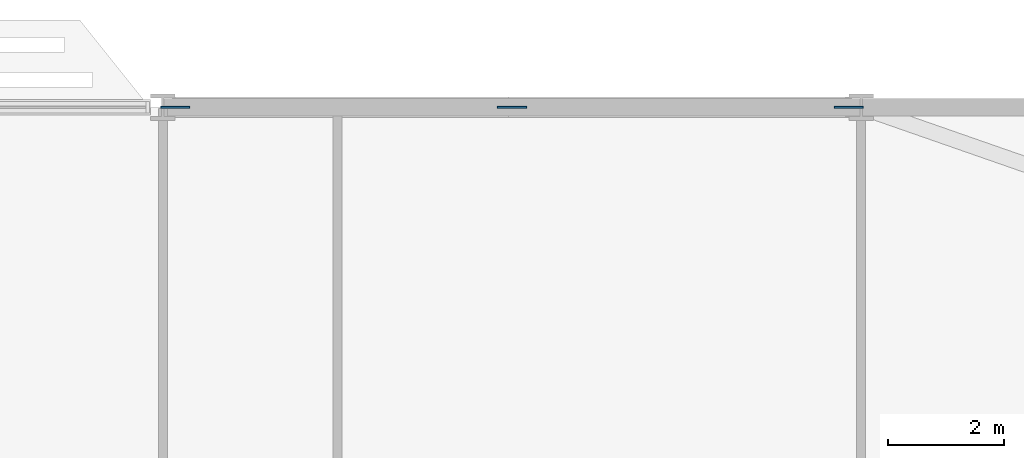
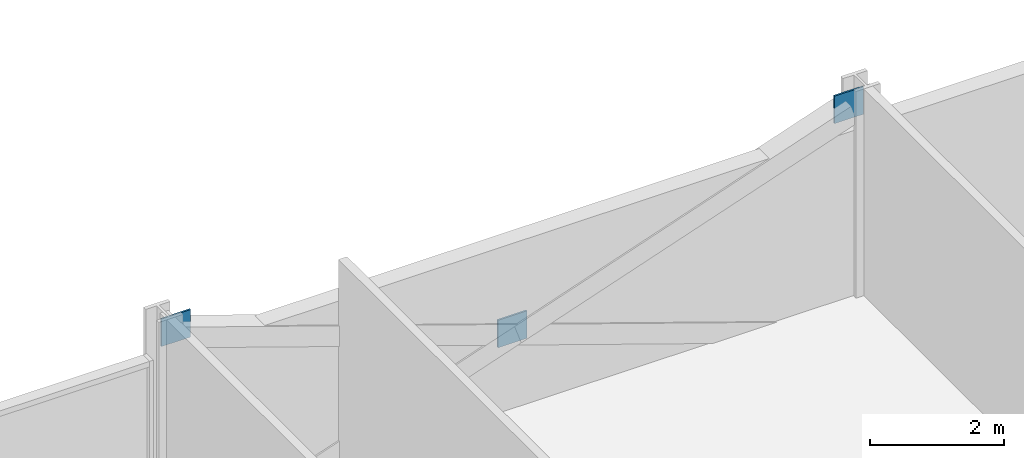
# One storey, part 22 of 29: 3 discrete accessories.
"""IFC4 building model written with IfcOpenShell, lengths in metres."""

from ifc_helpers import new_model, si_unit, direction, frame, origin, origin_2d, place, context, subcontext, project, spatial, rectangle, extrude, material, layer, layer_set, type_object, element, save


model = new_model("IFC4")

# Units and contexts
model_context = context("Model", 3, precision=1e-05, world=origin(), true_north=direction((0.0, 1.0)))
body_context = subcontext(model_context, "Body", "Model", "MODEL_VIEW")
ifc_project = project(units=[si_unit("LENGTHUNIT", "METRE"), si_unit("AREAUNIT", "SQUARE_METRE"), si_unit("VOLUMEUNIT", "CUBIC_METRE"), si_unit("PLANEANGLEUNIT", "RADIAN"), si_unit("MASSUNIT", "GRAM", prefix="KILO")], contexts=[model_context])

# Site, building, storey
site_placement = place(None, origin())
site = spatial("IfcSite", under=ifc_project, at=site_placement, CompositionType="ELEMENT")
building_placement = place(site_placement, origin())
building = spatial("IfcBuilding", under=site, at=building_placement, Name="Mahtab Terrace Research Tower", CompositionType="ELEMENT")
storey_placement = place(building_placement, frame((0.0, 0.0, 97.10009765625)))
storey = spatial("IfcBuildingStorey", under=building, at=storey_placement, Name="L22", CompositionType="ELEMENT", Elevation=97.10009765625)

# Discrete accessories
ifc_material = material(Name="Steel ASTM A992 Gr 50", Category="steel")
ifc_layer = layer(ifc_material, 0.030029296875)
ifc_layer_set = layer_set([ifc_layer], Name="Gusset plate 500x500x30")
discrete_accessory_type = type_object("IfcDiscreteAccessoryType", Name="Gusset plate 500x500x30", PredefinedType="USERDEFINED", material=ifc_layer_set)
for number, where, z_axis, x_axis, name in (
    (1, (30.209716796875, 29.0, 3.13134765625), (0.0, 0.0, 1.0), (1.0, 0.0, 0.0), "Gusset plate"),
    (2, (36.0, 29.0, 1.081298828125), (0.0, 0.0, 1.0), (1.0, 0.0, 0.0), "Gusset plate"),
    (3, (41.790283203125, 29.0, 3.13134765625), (0.0, 0.0, 1.0), (1.0, 0.0, 0.0), "Gusset plate"),
):
    element("IfcDiscreteAccessory", number, at=place(storey_placement, frame(where, z_axis=z_axis, x_axis=x_axis)), inside=storey, type_object=discrete_accessory_type, Name=name, ObjectType="GUSSET PLATE", PredefinedType="USERDEFINED", context=body_context, shape_type="SweptSolid", body=[
        extrude(rectangle(XDim=0.5, YDim=0.030029296875, at=origin_2d()), origin(), (0.0, 0.0, 1.0), 0.5),
    ])

save(model, "model.ifc")
